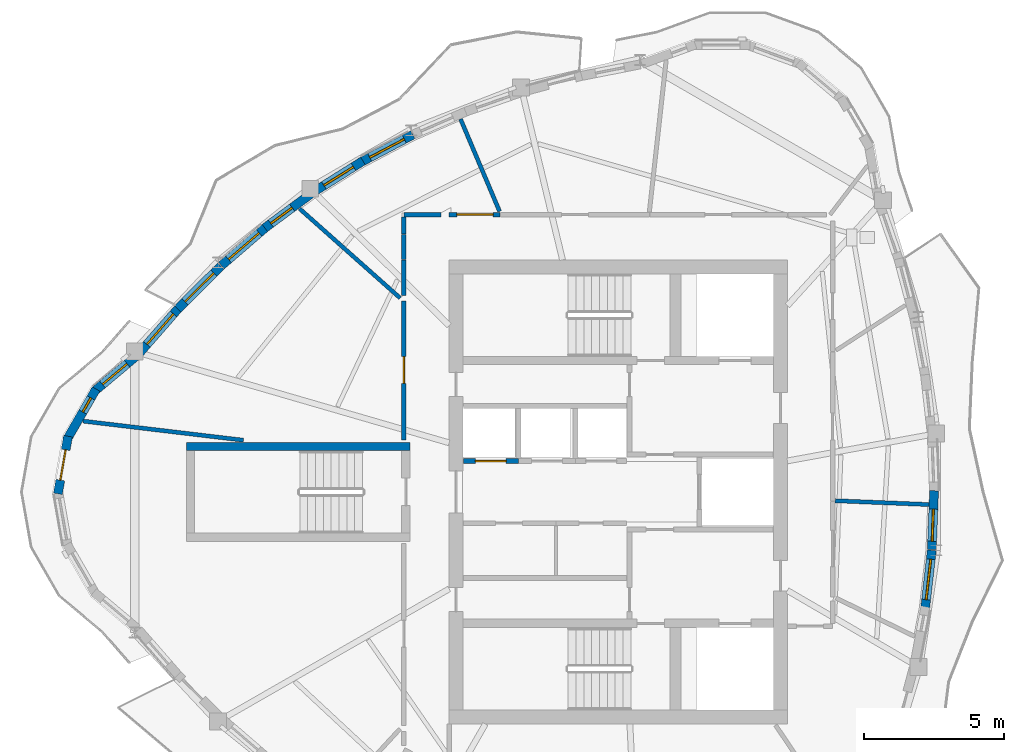
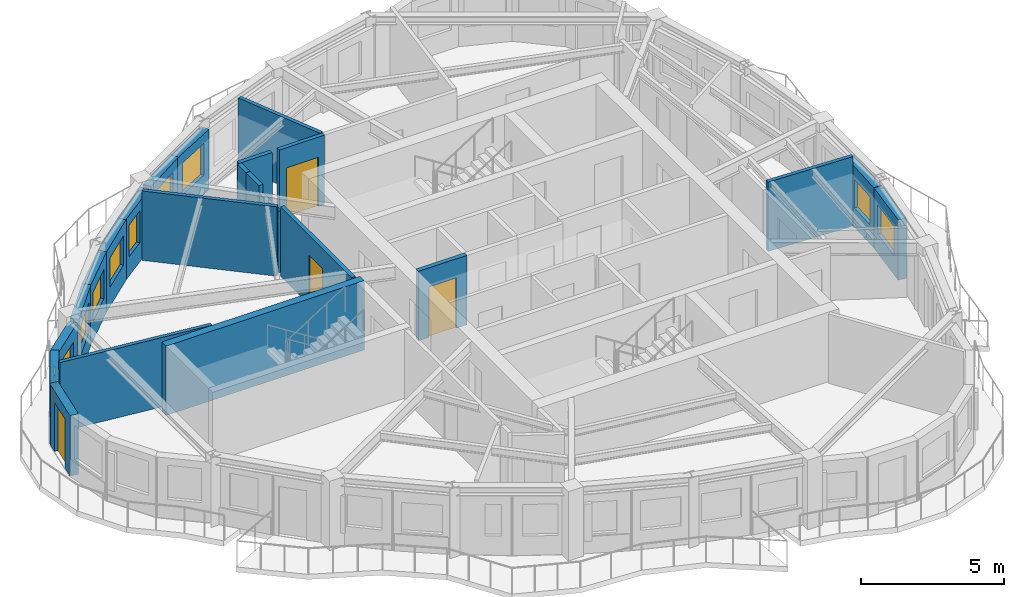
# One storey, part 5 of 12: 23 walls, 10 windows, 4 doors, 14 openings.
"""IFC4 building model written with IfcOpenShell, lengths in metres."""

from ifc_helpers import new_model, si_unit, direction, frame, frame_2d, origin, place, context, subcontext, project, spatial, rectangle, extrude, source, transform, mapped, material, layer, layer_set, type_object, element, fill, save


model = new_model("IFC4")

# Units and contexts
model_context = context("Model", 3, precision=1e-05, world=origin(), true_north=direction((0.0, 1.0)))
body_context = subcontext(model_context, "Body", "Model", "MODEL_VIEW")
ifc_project = project(units=[si_unit("LENGTHUNIT", "METRE"), si_unit("AREAUNIT", "SQUARE_METRE"), si_unit("VOLUMEUNIT", "CUBIC_METRE"), si_unit("PLANEANGLEUNIT", "RADIAN"), si_unit("MASSUNIT", "GRAM", prefix="KILO")], contexts=[model_context])

# Site, building, storey
site_placement = place(None, origin())
site = spatial("IfcSite", under=ifc_project, at=site_placement, CompositionType="ELEMENT")
building_placement = place(site_placement, origin())
building = spatial("IfcBuilding", under=site, at=building_placement, Name="Qafzar Sky-Pleat Residences", CompositionType="ELEMENT")
storey_placement = place(building_placement, frame((0.0, 0.0, 224.39990234375)))
storey = spatial("IfcBuildingStorey", under=building, at=storey_placement, Name="L67", CompositionType="ELEMENT", Elevation=224.39990234375)

# Wall, opening, door
ifc_material_1 = material(Name="Acoustic gypsum plasterboard partition", Category="gypsum")
ifc_layer_1 = layer(ifc_material_1, 0.159912109375)
ifc_layer_set_1 = layer_set([ifc_layer_1], Name="Acoustic gypsum plasterboard partition")
wall_type_1 = type_object("IfcWallType", Name="PART-COR-160", PredefinedType="PARTITIONING", material=ifc_layer_set_1)
wall_1_placement = place(storey_placement, frame((22.679931640625, 27.85009765625, 0.0), z_axis=(0.0, 0.0, 1.0), x_axis=(0.0, 1.0, 0.0)))
wall_1 = element("IfcWall", 1, at=wall_1_placement, inside=storey, type_object=wall_type_1, Name="L67 Partition Wall PART-L67-PW-004", PredefinedType="PARTITIONING", context=body_context, shape_type="SweptSolid", body=[
    extrude(rectangle(XDim=4.98779296875, YDim=0.159912109375, at=frame_2d((2.493896484375, 0.0))), origin(), (0.0, 0.0, 1.0), 2.960205078125),
])
opening_1_placement = place(wall_1_placement, frame((2.033447265625, 0.0, 0.0)))
opening_1 = element("IfcOpeningElement", 2, at=opening_1_placement, cuts=wall_1, Name="Opening ID-06", PredefinedType="OPENING", context=body_context, shape_type="SweptSolid", body=[
    extrude(rectangle(XDim=0.9599609375, YDim=2.10009765625, at=frame_2d((0.47998046875, 1.050048828125))), frame((0.0, 0.08984375, 0.0), z_axis=(0.0, -1.0, 0.0), x_axis=(1.0, 0.0, 0.0)), (0.0, 0.0, 1.0), 0.179931640625),
])
ifc_material_2 = material(Name="Timber-faced fire door", Category="wood")
door_type_1 = type_object("IfcDoorType", Name="DR-STD-960", OperationType="NOTDEFINED", PredefinedType="DOOR", material=ifc_material_2)
shared_shape_1 = source(origin(), body_context, "Body", "SweptSolid", [
    extrude(rectangle(XDim=0.9599609375, YDim=2.10009765625, at=frame_2d((0.47998046875, 1.050048828125))), frame((0.0, 0.02490234375, 0.0), z_axis=(0.0, -1.0, 0.0), x_axis=(1.0, 0.0, 0.0)), (0.0, 0.0, 1.0), 0.050048828125),
])
door_1_placement = place(opening_1_placement, origin())
door_1 = element("IfcDoor", 3, at=door_1_placement, inside=storey, type_object=door_type_1, Name="L67 Reading Library Door", OperationType="SINGLE_SWING_RIGHT", OverallHeight=2.10009765625, OverallWidth=0.9599609375, PredefinedType="DOOR", context=body_context, shape_type="MappedRepresentation", body=[
    mapped(shared_shape_1, transform((0.0, 0.0, 0.0), x_axis=(1.0, 0.0, 0.0), y_axis=(0.0, 1.0, 0.0), z_axis=(0.0, 0.0, 1.0), scale=1.0)),
])
fill(opening_1, door_1)

wall_2_placement = place(storey_placement, frame((24.300048828125, 35.919921875, 0.0), z_axis=(0.0, 0.0, 1.0), x_axis=(1.0, 0.0, 0.0)))
wall_2 = element("IfcWall", 4, at=wall_2_placement, inside=storey, type_object=wall_type_1, Name="L67 Partition Wall PART-L67-PW-009", PredefinedType="PARTITIONING", context=body_context, shape_type="SweptSolid", body=[
    extrude(rectangle(XDim=1.822998046875, YDim=0.159912109375, at=frame_2d((0.91162109375, 0.0))), origin(), (0.0, 0.0, 1.0), 2.960205078125),
])
opening_2_placement = place(wall_2_placement, frame((0.277099609375, 0.0, 0.0)))
opening_2 = element("IfcOpeningElement", 5, at=opening_2_placement, cuts=wall_2, Name="Opening ID-05", PredefinedType="OPENING", context=body_context, shape_type="SweptSolid", body=[
    extrude(rectangle(XDim=1.300048828125, YDim=2.10009765625, at=frame_2d((0.64990234375, 1.050048828125))), frame((0.0, 0.08984375, 0.0), z_axis=(0.0, -1.0, 0.0), x_axis=(1.0, 0.0, 0.0)), (0.0, 0.0, 1.0), 0.179931640625),
])
door_type_2 = type_object("IfcDoorType", Name="DR-LNG-1300", OperationType="DOUBLE_DOOR_SINGLE_SWING", PredefinedType="DOOR", material=ifc_material_2)
shared_shape_2 = source(origin(), body_context, "Body", "SweptSolid", [
    extrude(rectangle(XDim=1.300048828125, YDim=2.10009765625, at=frame_2d((0.64990234375, 1.050048828125))), frame((0.0, 0.02490234375, 0.0), z_axis=(0.0, -1.0, 0.0), x_axis=(1.0, 0.0, 0.0)), (0.0, 0.0, 1.0), 0.050048828125),
])
door_2_placement = place(opening_2_placement, origin())
door_2 = element("IfcDoor", 6, at=door_2_placement, inside=storey, type_object=door_type_2, Name="L67 Co-Living Lounge Door", OperationType="DOUBLE_DOOR_SINGLE_SWING", OverallHeight=2.10009765625, OverallWidth=1.300048828125, PredefinedType="DOOR", context=body_context, shape_type="MappedRepresentation", body=[
    mapped(shared_shape_2, transform((0.0, 0.0, 0.0), x_axis=(1.0, 0.0, 0.0), y_axis=(0.0, 1.0, 0.0), z_axis=(0.0, 0.0, 1.0), scale=1.0)),
])
fill(opening_2, door_2)

# Walls
wall_3_placement = place(storey_placement, frame((22.679931640625, 33.029052734375, 0.0), z_axis=(0.0, 0.0, 1.0), x_axis=(0.0, 1.0, 0.0)))
element("IfcWall", 7, at=wall_3_placement, inside=storey, type_object=wall_type_1, Name="L67 Partition Wall PART-L67-PW-024", PredefinedType="PARTITIONING", context=body_context, shape_type="SweptSolid", body=[
    extrude(rectangle(XDim=1.27099609375, YDim=0.159912109375, at=frame_2d((0.635498046875, 0.0))), origin(), (0.0, 0.0, 1.0), 2.628173828125),
])
wall_4_placement = place(storey_placement, frame((22.679931640625, 35.919921875, 0.0), z_axis=(0.0, 0.0, 1.0), x_axis=(1.0, 0.0, 0.0)))
element("IfcWall", 8, at=wall_4_placement, inside=storey, type_object=wall_type_1, Name="L67 Partition Wall PART-L67-PW-025", PredefinedType="PARTITIONING", context=body_context, shape_type="SweptSolid", body=[
    extrude(rectangle(XDim=1.33203125, YDim=0.159912109375, at=frame_2d((0.666015625, 0.0))), origin(), (0.0, 0.0, 1.0), 2.960205078125),
])
wall_5_placement = place(storey_placement, frame((22.679931640625, 34.31494140625, 0.0), z_axis=(0.0, 0.0, 1.0), x_axis=(0.0, 1.0, 0.0)))
element("IfcWall", 9, at=wall_5_placement, inside=storey, type_object=wall_type_1, Name="L67 Partition Wall PART-L67-PW-027", PredefinedType="PARTITIONING", context=body_context, shape_type="SweptSolid", body=[
    extrude(rectangle(XDim=0.902099609375, YDim=0.159912109375, at=frame_2d((0.451171875, 0.0))), origin(), (0.0, 0.0, 1.0), 2.960205078125),
])
wall_6_placement = place(storey_placement, frame((22.679931640625, 35.23193359375, 0.0), z_axis=(0.0, 0.0, 1.0), x_axis=(0.0, 1.0, 0.0)))
element("IfcWall", 10, at=wall_6_placement, inside=storey, type_object=wall_type_1, Name="L67 Partition Wall PART-L67-PW-029", PredefinedType="PARTITIONING", context=body_context, shape_type="SweptSolid", body=[
    extrude(rectangle(XDim=0.60009765625, YDim=0.159912109375, at=frame_2d((0.300048828125, 0.0))), origin(), (0.0, 0.0, 1.0), 2.960205078125),
])

# Wall, opening, door
ifc_material_3 = material(Name="Concrete blockwork partition", Category="masonry")
ifc_layer_2 = layer(ifc_material_3, 0.179931640625)
ifc_layer_set_2 = layer_set([ifc_layer_2], Name="Concrete blockwork partition")
wall_type_2 = type_object("IfcWallType", Name="PART-SHAFT-180", PredefinedType="PARTITIONING", material=ifc_layer_set_2)
wall_7_placement = place(storey_placement, frame((24.81005859375, 27.10009765625, 0.0), z_axis=(0.0, 0.0, 1.0), x_axis=(1.0, 0.0, 0.0)))
wall_7 = element("IfcWall", 11, at=wall_7_placement, inside=storey, type_object=wall_type_2, Name="L67 Partition Wall PART-L67-P4-S", PredefinedType="PARTITIONING", context=body_context, shape_type="SweptSolid", body=[
    extrude(rectangle(XDim=1.96484375, YDim=0.179931640625, at=frame_2d((0.982421875, 0.0))), origin(), (0.0, 0.0, 1.0), 2.960205078125),
])
opening_3_placement = place(wall_7_placement, frame((0.4326171875, 0.0, 0.0)))
opening_3 = element("IfcOpeningElement", 12, at=opening_3_placement, cuts=wall_7, Name="Opening LD-01", PredefinedType="OPENING", context=body_context, shape_type="SweptSolid", body=[
    extrude(rectangle(XDim=1.10009765625, YDim=2.14990234375, at=frame_2d((0.550048828125, 1.074951171875))), frame((0.0, 0.10009765625, 0.0), z_axis=(0.0, -1.0, 0.0), x_axis=(1.0, 0.0, 0.0)), (0.0, 0.0, 1.0), 0.199951171875),
])
ifc_material_4 = material(Name="Stainless steel sliding landing door", Category="steel")
door_type_3 = type_object("IfcDoorType", Name="DR-LIFT-P", OperationType="DOUBLE_DOOR_SLIDING", PredefinedType="DOOR", material=ifc_material_4)
shared_shape_3 = source(origin(), body_context, "Body", "SweptSolid", [
    extrude(rectangle(XDim=1.10009765625, YDim=2.14990234375, at=frame_2d((0.550048828125, 1.074951171875))), frame((0.0, 0.02490234375, 0.0), z_axis=(0.0, -1.0, 0.0), x_axis=(1.0, 0.0, 0.0)), (0.0, 0.0, 1.0), 0.050048828125),
])
door_3_placement = place(opening_3_placement, origin())
door_3 = element("IfcDoor", 13, at=door_3_placement, inside=storey, type_object=door_type_3, Name="L67 Passenger Lift P4 Landing Door", OperationType="DOUBLE_DOOR_SLIDING", OverallHeight=2.14990234375, OverallWidth=1.10009765625, PredefinedType="DOOR", context=body_context, shape_type="MappedRepresentation", body=[
    mapped(shared_shape_3, transform((0.0, 0.0, 0.0), x_axis=(1.0, 0.0, 0.0), y_axis=(0.0, 1.0, 0.0), z_axis=(0.0, 0.0, 1.0), scale=1.0)),
])
fill(opening_3, door_3)

# Walls
ifc_layer_3 = layer(ifc_material_1, 0.14501953125)
ifc_layer_set_3 = layer_set([ifc_layer_3], Name="Acoustic gypsum plasterboard partition")
wall_type_3 = type_object("IfcWallType", Name="PART-UNIT-145", PredefinedType="PARTITIONING", material=ifc_layer_set_3)
wall_8_placement = place(storey_placement, frame((11.204833984375, 28.533935546875, 0.0), z_axis=(0.0, 0.0, 1.0), x_axis=(0.9929685345, -0.118378585449, 0.0)))
element("IfcWall", 14, at=wall_8_placement, inside=storey, type_object=wall_type_3, Name="L67 Partition Wall PART-L67-PW-011", PredefinedType="PARTITIONING", context=body_context, shape_type="SweptSolid", body=[
    extrude(rectangle(XDim=5.776611328125, YDim=0.14501953125, at=frame_2d((2.88818359375, 0.0))), origin(), (0.0, 0.0, 1.0), 2.960205078125),
])
wall_9_placement = place(storey_placement, frame((18.94873046875, 36.134033203125, 0.0), z_axis=(0.0, 0.0, 1.0), x_axis=(0.747482088067, -0.664281964243, 0.0)))
element("IfcWall", 15, at=wall_9_placement, inside=storey, type_object=wall_type_3, Name="L67 Partition Wall PART-L67-PW-014", PredefinedType="PARTITIONING", context=body_context, shape_type="SweptSolid", body=[
    extrude(rectangle(XDim=4.8125, YDim=0.14501953125, at=frame_2d((2.40625, 0.0))), origin(), (0.0, 0.0, 1.0), 2.960205078125),
])
wall_10_placement = place(storey_placement, frame((24.708251953125, 39.337890625, 0.0), z_axis=(0.0, 0.0, 1.0), x_axis=(0.389551136954, -0.921004838043, 0.0)))
element("IfcWall", 16, at=wall_10_placement, inside=storey, type_object=wall_type_3, Name="L67 Partition Wall PART-L67-PW-015", PredefinedType="PARTITIONING", context=body_context, shape_type="SweptSolid", body=[
    extrude(rectangle(XDim=3.58544921875, YDim=0.14501953125, at=frame_2d((1.792724609375, 0.0))), origin(), (0.0, 0.0, 1.0), 2.960205078125),
])
wall_11_placement = place(storey_placement, frame((38.11083984375, 25.685302734375, 0.0), z_axis=(0.0, 0.0, 1.0), x_axis=(0.999167325882, -0.040800182477, 0.0)))
element("IfcWall", 17, at=wall_11_placement, inside=storey, type_object=wall_type_3, Name="L67 Partition Wall PART-L67-PW-017", PredefinedType="PARTITIONING", context=body_context, shape_type="SweptSolid", body=[
    extrude(rectangle(XDim=3.350830078125, YDim=0.14501953125, at=frame_2d((1.67529296875, 0.0))), origin(), (0.0, 0.0, 1.0), 2.960205078125),
])

# Wall, opening, window
ifc_material_5 = material(Name="Precast concrete C40/50 with honed Riyadh limestone", Category="concrete")
ifc_layer_4 = layer(ifc_material_5, 0.320068359375)
ifc_layer_set_4 = layer_set([ifc_layer_4], Name="Precast concrete C40/50 with honed Riyadh limestone")
wall_type_4 = type_object("IfcWallType", Name="WALL-EXT-320", PredefinedType="SOLIDWALL", material=ifc_layer_set_4)
wall_12_placement = place(storey_placement, frame((13.0888671875, 30.842529296875, 0.0), z_axis=(0.0, 0.0, 1.0), x_axis=(-0.76606505432, -0.642763045414, 0.0)))
wall_12 = element("IfcWall", 18, at=wall_12_placement, inside=storey, type_object=wall_type_4, Name="L67 Limestone Facade Wall 1", PredefinedType="SOLIDWALL", context=body_context, shape_type="SweptSolid", body=[
    extrude(rectangle(XDim=1.962158203125, YDim=0.320068359375, at=frame_2d((0.98095703125, 0.0))), origin(), (0.0, 0.0, 1.0), 2.580078125),
])
opening_4_placement = place(wall_12_placement, frame((0.401123046875, 0.0, 0.820068359375)))
opening_4 = element("IfcOpeningElement", 19, at=opening_4_placement, cuts=wall_12, Name="Opening WN-16", PredefinedType="OPENING", context=body_context, shape_type="SweptSolid", body=[
    extrude(rectangle(XDim=1.14990234375, YDim=1.199951171875, at=frame_2d((0.574951171875, 0.60009765625))), frame((0.0, 0.169921875, 0.0), z_axis=(0.0, -1.0, 0.0), x_axis=(1.0, 0.0, 0.0)), (0.0, 0.0, 1.0), 0.340087890625),
])
ifc_material_6 = material(Name="Solar-control low-E glass in bronze aluminium frame", Category="glass")
window_type_1 = type_object("IfcWindowType", Name="WIN-16", PartitioningType="SINGLE_PANEL", PredefinedType="WINDOW", material=ifc_material_6)
shared_shape_4 = source(origin(), body_context, "Body", "SweptSolid", [
    extrude(rectangle(XDim=1.14990234375, YDim=1.199951171875, at=frame_2d((0.574951171875, 0.60009765625))), frame((0.0, 0.030029296875, 0.0), z_axis=(0.0, -1.0, 0.0), x_axis=(1.0, 0.0, 0.0)), (0.0, 0.0, 1.0), 0.06005859375),
])
window_1_placement = place(opening_4_placement, origin())
window_1 = element("IfcWindow", 20, at=window_1_placement, inside=storey, type_object=window_type_1, Name="L67 Punched Facade Window 01", OverallHeight=1.199951171875, OverallWidth=1.14990234375, PartitioningType="SINGLE_PANEL", PredefinedType="WINDOW", context=body_context, shape_type="MappedRepresentation", body=[
    mapped(shared_shape_4, transform((0.0, 0.0, 0.0), x_axis=(1.0, 0.0, 0.0), y_axis=(0.0, 1.0, 0.0), z_axis=(0.0, 0.0, 1.0), scale=1.0)),
])
fill(opening_4, window_1)

wall_13_placement = place(storey_placement, frame((11.66943359375, 29.68115234375, 0.0), z_axis=(0.0, 0.0, 1.0), x_axis=(-0.49990781971, -0.866078617559, 0.0)))
wall_13 = element("IfcWall", 21, at=wall_13_placement, inside=storey, type_object=wall_type_4, Name="L67 Limestone Facade Wall 2", PredefinedType="SOLIDWALL", context=body_context, shape_type="SweptSolid", body=[
    extrude(rectangle(XDim=2.09033203125, YDim=0.320068359375, at=frame_2d((1.045166015625, 0.0))), origin(), (0.0, 0.0, 1.0), 2.580078125),
])
opening_5_placement = place(wall_13_placement, frame((0.3671875, 0.0, 0.820068359375)))
opening_5 = element("IfcOpeningElement", 22, at=opening_5_placement, cuts=wall_13, Name="Opening WN-17", PredefinedType="OPENING", context=body_context, shape_type="SweptSolid", body=[
    extrude(rectangle(XDim=0.580078125, YDim=1.35009765625, at=frame_2d((0.2900390625, 0.675048828125))), frame((0.0, 0.169921875, 0.0), z_axis=(0.0, -1.0, 0.0), x_axis=(1.0, 0.0, 0.0)), (0.0, 0.0, 1.0), 0.340087890625),
])
window_type_2 = type_object("IfcWindowType", Name="WIN-17", PartitioningType="SINGLE_PANEL", PredefinedType="WINDOW", material=ifc_material_6)
shared_shape_5 = source(origin(), body_context, "Body", "SweptSolid", [
    extrude(rectangle(XDim=0.580078125, YDim=1.35009765625, at=frame_2d((0.2900390625, 0.675048828125))), frame((0.0, 0.030029296875, 0.0), z_axis=(0.0, -1.0, 0.0), x_axis=(1.0, 0.0, 0.0)), (0.0, 0.0, 1.0), 0.06005859375),
])
window_2_placement = place(opening_5_placement, origin())
window_2 = element("IfcWindow", 23, at=window_2_placement, inside=storey, type_object=window_type_2, Name="L67 Punched Facade Window 02", OverallHeight=1.35009765625, OverallWidth=0.580078125, PartitioningType="SINGLE_PANEL", PredefinedType="WINDOW", context=body_context, shape_type="MappedRepresentation", body=[
    mapped(shared_shape_5, transform((0.0, 0.0, 0.0), x_axis=(1.0, 0.0, 0.0), y_axis=(0.0, 1.0, 0.0), z_axis=(0.0, 0.0, 1.0), scale=1.0)),
])
fill(opening_5, window_2)

# Wall, opening, door
wall_14_placement = place(storey_placement, frame((10.6689453125, 27.993408203125, 0.0), z_axis=(0.0, 0.0, 1.0), x_axis=(-0.173672066494, -0.984803540469, 0.0)))
wall_14 = element("IfcWall", 24, at=wall_14_placement, inside=storey, type_object=wall_type_4, Name="L67 Limestone Facade Wall 3", PredefinedType="SOLIDWALL", context=body_context, shape_type="SweptSolid", body=[
    extrude(rectangle(XDim=2.09033203125, YDim=0.320068359375, at=frame_2d((1.045166015625, 0.0))), origin(), (0.0, 0.0, 1.0), 2.580078125),
])
opening_6_placement = place(wall_14_placement, frame((0.4951171875, 0.0, 0.0)))
opening_6 = element("IfcOpeningElement", 25, at=opening_6_placement, cuts=wall_14, Name="Opening ED-06", PredefinedType="OPENING", context=body_context, shape_type="SweptSolid", body=[
    extrude(rectangle(XDim=1.10009765625, YDim=2.10009765625, at=frame_2d((0.550048828125, 1.050048828125))), frame((0.0, 0.169921875, 0.0), z_axis=(0.0, -1.0, 0.0), x_axis=(1.0, 0.0, 0.0)), (0.0, 0.0, 1.0), 0.340087890625),
])
ifc_material_7 = material(Name="Glazed bronze aluminium door", Category="aluminium")
door_type_4 = type_object("IfcDoorType", Name="DR-BAL-1100", OperationType="NOTDEFINED", PredefinedType="DOOR", material=ifc_material_7)
shared_shape_6 = source(origin(), body_context, "Body", "SweptSolid", [
    extrude(rectangle(XDim=1.10009765625, YDim=2.10009765625, at=frame_2d((0.550048828125, 1.050048828125))), frame((0.0, 0.02490234375, 0.0), z_axis=(0.0, -1.0, 0.0), x_axis=(1.0, 0.0, 0.0)), (0.0, 0.0, 1.0), 0.050048828125),
])
door_4_placement = place(opening_6_placement, origin())
door_4 = element("IfcDoor", 26, at=door_4_placement, inside=storey, type_object=door_type_4, Name="L67 Terrace Glazed Door 1", OperationType="SINGLE_SWING_LEFT", OverallHeight=2.10009765625, OverallWidth=1.10009765625, PredefinedType="DOOR", context=body_context, shape_type="MappedRepresentation", body=[
    mapped(shared_shape_6, transform((0.0, 0.0, 0.0), x_axis=(1.0, 0.0, 0.0), y_axis=(0.0, 1.0, 0.0), z_axis=(0.0, 0.0, 1.0), scale=1.0)),
])
fill(opening_6, door_4)

# Wall, opening, window
wall_15_placement = place(storey_placement, frame((41.323974609375, 21.807861328125, 0.0), z_axis=(0.0, 0.0, 1.0), x_axis=(0.113315758547, 0.993559026362, 0.0)))
wall_15 = element("IfcWall", 27, at=wall_15_placement, inside=storey, type_object=wall_type_4, Name="L67 Limestone Facade Wall 26", PredefinedType="SOLIDWALL", context=body_context, shape_type="SweptSolid", body=[
    extrude(rectangle(XDim=2.117919921875, YDim=0.320068359375, at=frame_2d((1.05908203125, 0.0))), origin(), (0.0, 0.0, 1.0), 2.580078125),
])
opening_7_placement = place(wall_15_placement, frame((0.343994140625, 0.0, 0.820068359375)))
opening_7 = element("IfcOpeningElement", 28, at=opening_7_placement, cuts=wall_15, Name="Opening WN-15", PredefinedType="OPENING", context=body_context, shape_type="SweptSolid", body=[
    extrude(rectangle(XDim=1.449951171875, YDim=1.25, at=frame_2d((0.72509765625, 0.625))), frame((0.0, 0.169921875, 0.0), z_axis=(0.0, -1.0, 0.0), x_axis=(1.0, 0.0, 0.0)), (0.0, 0.0, 1.0), 0.340087890625),
])
window_type_3 = type_object("IfcWindowType", Name="WIN-15", PartitioningType="SINGLE_PANEL", PredefinedType="WINDOW", material=ifc_material_6)
shared_shape_7 = source(origin(), body_context, "Body", "SweptSolid", [
    extrude(rectangle(XDim=1.449951171875, YDim=1.25, at=frame_2d((0.72509765625, 0.625))), frame((0.0, 0.030029296875, 0.0), z_axis=(0.0, -1.0, 0.0), x_axis=(1.0, 0.0, 0.0)), (0.0, 0.0, 1.0), 0.06005859375),
])
window_3_placement = place(opening_7_placement, origin())
window_3 = element("IfcWindow", 29, at=window_3_placement, inside=storey, type_object=window_type_3, Name="L67 Punched Facade Window 26", OverallHeight=1.25, OverallWidth=1.449951171875, PartitioningType="SINGLE_PANEL", PredefinedType="WINDOW", context=body_context, shape_type="MappedRepresentation", body=[
    mapped(shared_shape_7, transform((0.0, 0.0, 0.0), x_axis=(1.0, 0.0, 0.0), y_axis=(0.0, 1.0, 0.0), z_axis=(0.0, 0.0, 1.0), scale=1.0)),
])
fill(opening_7, window_3)

wall_16_placement = place(storey_placement, frame((41.566162109375, 23.939697265625, 0.0), z_axis=(0.0, 0.0, 1.0), x_axis=(0.037912160544, 0.999281075615, 0.0)))
wall_16 = element("IfcWall", 30, at=wall_16_placement, inside=storey, type_object=wall_type_4, Name="L67 Limestone Facade Wall 27", PredefinedType="SOLIDWALL", context=body_context, shape_type="SweptSolid", body=[
    extrude(rectangle(XDim=2.105712890625, YDim=0.320068359375, at=frame_2d((1.052734375, 0.0))), origin(), (0.0, 0.0, 1.0), 2.580078125),
])
opening_8_placement = place(wall_16_placement, frame((0.296875, 0.0, 0.820068359375)))
opening_8 = element("IfcOpeningElement", 31, at=opening_8_placement, cuts=wall_16, Name="Opening WN-16", PredefinedType="OPENING", context=body_context, shape_type="SweptSolid", body=[
    extrude(rectangle(XDim=1.14990234375, YDim=1.199951171875, at=frame_2d((0.574951171875, 0.60009765625))), frame((0.0, 0.169921875, 0.0), z_axis=(0.0, -1.0, 0.0), x_axis=(1.0, 0.0, 0.0)), (0.0, 0.0, 1.0), 0.340087890625),
])
window_4_placement = place(opening_8_placement, origin())
window_4 = element("IfcWindow", 32, at=window_4_placement, inside=storey, type_object=window_type_1, Name="L67 Punched Facade Window 27", OverallHeight=1.199951171875, OverallWidth=1.14990234375, PartitioningType="SINGLE_PANEL", PredefinedType="WINDOW", context=body_context, shape_type="MappedRepresentation", body=[
    mapped(shared_shape_4, transform((0.0, 0.0, 0.0), x_axis=(1.0, 0.0, 0.0), y_axis=(0.0, 1.0, 0.0), z_axis=(0.0, 0.0, 1.0), scale=1.0)),
])
fill(opening_8, window_4)

wall_17_placement = place(storey_placement, frame((23.001220703125, 38.77880859375, 0.0), z_axis=(0.0, 0.0, 1.0), x_axis=(-0.884379435148, -0.466768695059, 0.0)))
wall_17 = element("IfcWall", 33, at=wall_17_placement, inside=storey, type_object=wall_type_4, Name="L67 Limestone Facade Wall 43", PredefinedType="SOLIDWALL", context=body_context, shape_type="SweptSolid", body=[
    extrude(rectangle(XDim=2.105712890625, YDim=0.320068359375, at=frame_2d((1.052734375, 0.0))), origin(), (0.0, 0.0, 1.0), 2.580078125),
])
opening_9_placement = place(wall_17_placement, frame((0.343017578125, 0.0, 0.820068359375)))
opening_9 = element("IfcOpeningElement", 34, at=opening_9_placement, cuts=wall_17, Name="Opening WN-10", PredefinedType="OPENING", context=body_context, shape_type="SweptSolid", body=[
    extrude(rectangle(XDim=1.39990234375, YDim=1.35009765625, at=frame_2d((0.699951171875, 0.675048828125))), frame((0.0, 0.169921875, 0.0), z_axis=(0.0, -1.0, 0.0), x_axis=(1.0, 0.0, 0.0)), (0.0, 0.0, 1.0), 0.340087890625),
])
window_type_4 = type_object("IfcWindowType", Name="WIN-10", PartitioningType="SINGLE_PANEL", PredefinedType="WINDOW", material=ifc_material_6)
shared_shape_8 = source(origin(), body_context, "Body", "SweptSolid", [
    extrude(rectangle(XDim=1.39990234375, YDim=1.35009765625, at=frame_2d((0.699951171875, 0.675048828125))), frame((0.0, 0.030029296875, 0.0), z_axis=(0.0, -1.0, 0.0), x_axis=(1.0, 0.0, 0.0)), (0.0, 0.0, 1.0), 0.06005859375),
])
window_5_placement = place(opening_9_placement, origin())
window_5 = element("IfcWindow", 35, at=window_5_placement, inside=storey, type_object=window_type_4, Name="L67 Punched Facade Window 43", OverallHeight=1.35009765625, OverallWidth=1.39990234375, PartitioningType="SINGLE_PANEL", PredefinedType="WINDOW", context=body_context, shape_type="MappedRepresentation", body=[
    mapped(shared_shape_8, transform((0.0, 0.0, 0.0), x_axis=(1.0, 0.0, 0.0), y_axis=(0.0, 1.0, 0.0), z_axis=(0.0, 0.0, 1.0), scale=1.0)),
])
fill(opening_9, window_5)

wall_18_placement = place(storey_placement, frame((21.215087890625, 37.83984375, 0.0), z_axis=(0.0, 0.0, 1.0), x_axis=(-0.846356989859, -0.532616039672, 0.0)))
wall_18 = element("IfcWall", 36, at=wall_18_placement, inside=storey, type_object=wall_type_4, Name="L67 Limestone Facade Wall 44", PredefinedType="SOLIDWALL", context=body_context, shape_type="SweptSolid", body=[
    extrude(rectangle(XDim=2.03564453125, YDim=0.320068359375, at=frame_2d((1.017822265625, 0.0))), origin(), (0.0, 0.0, 1.0), 2.580078125),
])
opening_10_placement = place(wall_18_placement, frame((0.39794921875, 0.0, 0.820068359375)))
opening_10 = element("IfcOpeningElement", 37, at=opening_10_placement, cuts=wall_18, Name="Opening WN-11", PredefinedType="OPENING", context=body_context, shape_type="SweptSolid", body=[
    extrude(rectangle(XDim=1.25, YDim=1.35009765625, at=frame_2d((0.625, 0.675048828125))), frame((0.0, 0.169921875, 0.0), z_axis=(0.0, -1.0, 0.0), x_axis=(1.0, 0.0, 0.0)), (0.0, 0.0, 1.0), 0.340087890625),
])
window_type_5 = type_object("IfcWindowType", Name="WIN-11", PartitioningType="SINGLE_PANEL", PredefinedType="WINDOW", material=ifc_material_6)
shared_shape_9 = source(origin(), body_context, "Body", "SweptSolid", [
    extrude(rectangle(XDim=1.25, YDim=1.35009765625, at=frame_2d((0.625, 0.675048828125))), frame((0.0, 0.030029296875, 0.0), z_axis=(0.0, -1.0, 0.0), x_axis=(1.0, 0.0, 0.0)), (0.0, 0.0, 1.0), 0.06005859375),
])
window_6_placement = place(opening_10_placement, origin())
window_6 = element("IfcWindow", 38, at=window_6_placement, inside=storey, type_object=window_type_5, Name="L67 Punched Facade Window 44", OverallHeight=1.35009765625, OverallWidth=1.25, PartitioningType="SINGLE_PANEL", PredefinedType="WINDOW", context=body_context, shape_type="MappedRepresentation", body=[
    mapped(shared_shape_9, transform((0.0, 0.0, 0.0), x_axis=(1.0, 0.0, 0.0), y_axis=(0.0, 1.0, 0.0), z_axis=(0.0, 0.0, 1.0), scale=1.0)),
])
fill(opening_10, window_6)

wall_19_placement = place(storey_placement, frame((19.353515625, 36.660888671875, 0.0), z_axis=(0.0, 0.0, 1.0), x_axis=(-0.803846460046, -0.59483684206, 0.0)))
wall_19 = element("IfcWall", 39, at=wall_19_placement, inside=storey, type_object=wall_type_4, Name="L67 Limestone Facade Wall 45", PredefinedType="SOLIDWALL", context=body_context, shape_type="SweptSolid", body=[
    extrude(rectangle(XDim=2.047607421875, YDim=0.320068359375, at=frame_2d((1.02392578125, 0.0))), origin(), (0.0, 0.0, 1.0), 2.580078125),
])
opening_11_placement = place(wall_19_placement, frame((0.831787109375, 0.0, 0.820068359375)))
opening_11 = element("IfcOpeningElement", 40, at=opening_11_placement, cuts=wall_19, Name="Opening WN-12", PredefinedType="OPENING", context=body_context, shape_type="SweptSolid", body=[
    extrude(rectangle(XDim=0.949951171875, YDim=1.35009765625, at=frame_2d((0.47509765625, 0.675048828125))), frame((0.0, 0.169921875, 0.0), z_axis=(0.0, -1.0, 0.0), x_axis=(1.0, 0.0, 0.0)), (0.0, 0.0, 1.0), 0.340087890625),
])
window_type_6 = type_object("IfcWindowType", Name="WIN-12", PartitioningType="SINGLE_PANEL", PredefinedType="WINDOW", material=ifc_material_6)
shared_shape_10 = source(origin(), body_context, "Body", "SweptSolid", [
    extrude(rectangle(XDim=0.949951171875, YDim=1.35009765625, at=frame_2d((0.47509765625, 0.675048828125))), frame((0.0, 0.030029296875, 0.0), z_axis=(0.0, -1.0, 0.0), x_axis=(1.0, 0.0, 0.0)), (0.0, 0.0, 1.0), 0.06005859375),
])
window_7_placement = place(opening_11_placement, origin())
window_7 = element("IfcWindow", 41, at=window_7_placement, inside=storey, type_object=window_type_6, Name="L67 Punched Facade Window 45-2", OverallHeight=1.35009765625, OverallWidth=0.949951171875, PartitioningType="SINGLE_PANEL", PredefinedType="WINDOW", context=body_context, shape_type="MappedRepresentation", body=[
    mapped(shared_shape_10, transform((0.0, 0.0, 0.0), x_axis=(1.0, 0.0, 0.0), y_axis=(0.0, 1.0, 0.0), z_axis=(0.0, 0.0, 1.0), scale=1.0)),
])
fill(opening_11, window_7)

wall_20_placement = place(storey_placement, frame((17.77587890625, 35.497802734375, 0.0), z_axis=(0.0, 0.0, 1.0), x_axis=(-0.757443010922, -0.652901282894, 0.0)))
wall_20 = element("IfcWall", 42, at=wall_20_placement, inside=storey, type_object=wall_type_4, Name="L67 Limestone Facade Wall 46", PredefinedType="SOLIDWALL", context=body_context, shape_type="SweptSolid", body=[
    extrude(rectangle(XDim=2.1416015625, YDim=0.320068359375, at=frame_2d((1.07080078125, 0.0))), origin(), (0.0, 0.0, 1.0), 2.580078125),
])
opening_12_placement = place(wall_20_placement, frame((0.355712890625, 0.0, 0.820068359375)))
opening_12 = element("IfcOpeningElement", 43, at=opening_12_placement, cuts=wall_20, Name="Opening WN-15", PredefinedType="OPENING", context=body_context, shape_type="SweptSolid", body=[
    extrude(rectangle(XDim=1.449951171875, YDim=1.25, at=frame_2d((0.72509765625, 0.625))), frame((0.0, 0.169921875, 0.0), z_axis=(0.0, -1.0, 0.0), x_axis=(1.0, 0.0, 0.0)), (0.0, 0.0, 1.0), 0.340087890625),
])
window_8_placement = place(opening_12_placement, origin())
window_8 = element("IfcWindow", 44, at=window_8_placement, inside=storey, type_object=window_type_3, Name="L67 Punched Facade Window 46", OverallHeight=1.25, OverallWidth=1.449951171875, PartitioningType="SINGLE_PANEL", PredefinedType="WINDOW", context=body_context, shape_type="MappedRepresentation", body=[
    mapped(shared_shape_7, transform((0.0, 0.0, 0.0), x_axis=(1.0, 0.0, 0.0), y_axis=(0.0, 1.0, 0.0), z_axis=(0.0, 0.0, 1.0), scale=1.0)),
])
fill(opening_12, window_8)

wall_21_placement = place(storey_placement, frame((16.133056640625, 34.080078125, 0.0), z_axis=(0.0, 0.0, 1.0), x_axis=(-0.708395431826, -0.705815777784, 0.0)))
wall_21 = element("IfcWall", 45, at=wall_21_placement, inside=storey, type_object=wall_type_4, Name="L67 Limestone Facade Wall 47", PredefinedType="SOLIDWALL", context=body_context, shape_type="SweptSolid", body=[
    extrude(rectangle(XDim=2.1767578125, YDim=0.320068359375, at=frame_2d((1.08837890625, 0.0))), origin(), (0.0, 0.0, 1.0), 2.580078125),
])
opening_13_placement = place(wall_21_placement, frame((0.353515625, 0.0, 0.820068359375)))
opening_13 = element("IfcOpeningElement", 46, at=opening_13_placement, cuts=wall_21, Name="Opening WN-15", PredefinedType="OPENING", context=body_context, shape_type="SweptSolid", body=[
    extrude(rectangle(XDim=1.449951171875, YDim=1.25, at=frame_2d((0.72509765625, 0.625))), frame((0.0, 0.169921875, 0.0), z_axis=(0.0, -1.0, 0.0), x_axis=(1.0, 0.0, 0.0)), (0.0, 0.0, 1.0), 0.340087890625),
])
window_9_placement = place(opening_13_placement, origin())
window_9 = element("IfcWindow", 47, at=window_9_placement, inside=storey, type_object=window_type_3, Name="L67 Punched Facade Window 47", OverallHeight=1.25, OverallWidth=1.449951171875, PartitioningType="SINGLE_PANEL", PredefinedType="WINDOW", context=body_context, shape_type="MappedRepresentation", body=[
    mapped(shared_shape_7, transform((0.0, 0.0, 0.0), x_axis=(1.0, 0.0, 0.0), y_axis=(0.0, 1.0, 0.0), z_axis=(0.0, 0.0, 1.0), scale=1.0)),
])
fill(opening_13, window_9)

wall_22_placement = place(storey_placement, frame((14.650390625, 32.607421875, 0.0), z_axis=(0.0, 0.0, 1.0), x_axis=(-0.657629046069, -0.753341912923, 0.0)))
wall_22 = element("IfcWall", 48, at=wall_22_placement, inside=storey, type_object=wall_type_4, Name="L67 Limestone Facade Wall 48", PredefinedType="SOLIDWALL", context=body_context, shape_type="SweptSolid", body=[
    extrude(rectangle(XDim=2.15283203125, YDim=0.320068359375, at=frame_2d((1.076416015625, 0.0))), origin(), (0.0, 0.0, 1.0), 2.580078125),
])
opening_14_placement = place(wall_22_placement, frame((0.31640625, 0.0, 0.820068359375)))
opening_14 = element("IfcOpeningElement", 49, at=opening_14_placement, cuts=wall_22, Name="Opening WN-15", PredefinedType="OPENING", context=body_context, shape_type="SweptSolid", body=[
    extrude(rectangle(XDim=1.449951171875, YDim=1.25, at=frame_2d((0.72509765625, 0.625))), frame((0.0, 0.169921875, 0.0), z_axis=(0.0, -1.0, 0.0), x_axis=(1.0, 0.0, 0.0)), (0.0, 0.0, 1.0), 0.340087890625),
])
window_10_placement = place(opening_14_placement, origin())
window_10 = element("IfcWindow", 50, at=window_10_placement, inside=storey, type_object=window_type_3, Name="L67 Punched Facade Window 48", OverallHeight=1.25, OverallWidth=1.449951171875, PartitioningType="SINGLE_PANEL", PredefinedType="WINDOW", context=body_context, shape_type="MappedRepresentation", body=[
    mapped(shared_shape_7, transform((0.0, 0.0, 0.0), x_axis=(1.0, 0.0, 0.0), y_axis=(0.0, 1.0, 0.0), z_axis=(0.0, 0.0, 1.0), scale=1.0)),
])
fill(opening_14, window_10)

# Wall
ifc_material_8 = material(Name="Concrete C60/75", Category="concrete")
ifc_layer_5 = layer(ifc_material_8, 0.300048828125)
ifc_layer_set_5 = layer_set([ifc_layer_5], Name="Concrete C60/75")
wall_type_5 = type_object("IfcWallType", Name="WALL-SHEAR-300", PredefinedType="SHEAR", material=ifc_layer_set_5)
wall_23_placement = place(storey_placement, frame((22.89990234375, 27.625, 0.0), z_axis=(0.0, 0.0, 1.0), x_axis=(-1.0, 0.0, 0.0)))
element("IfcWall", 51, at=wall_23_placement, inside=storey, type_object=wall_type_5, Name="L67 ST3 wall N", PredefinedType="SHEAR", context=body_context, shape_type="SweptSolid", body=[
    extrude(rectangle(XDim=8.0, YDim=0.300048828125, at=frame_2d((4.0, 0.0))), origin(), (0.0, 0.0, 1.0), 2.960205078125),
])

save(model, "model.ifc")
